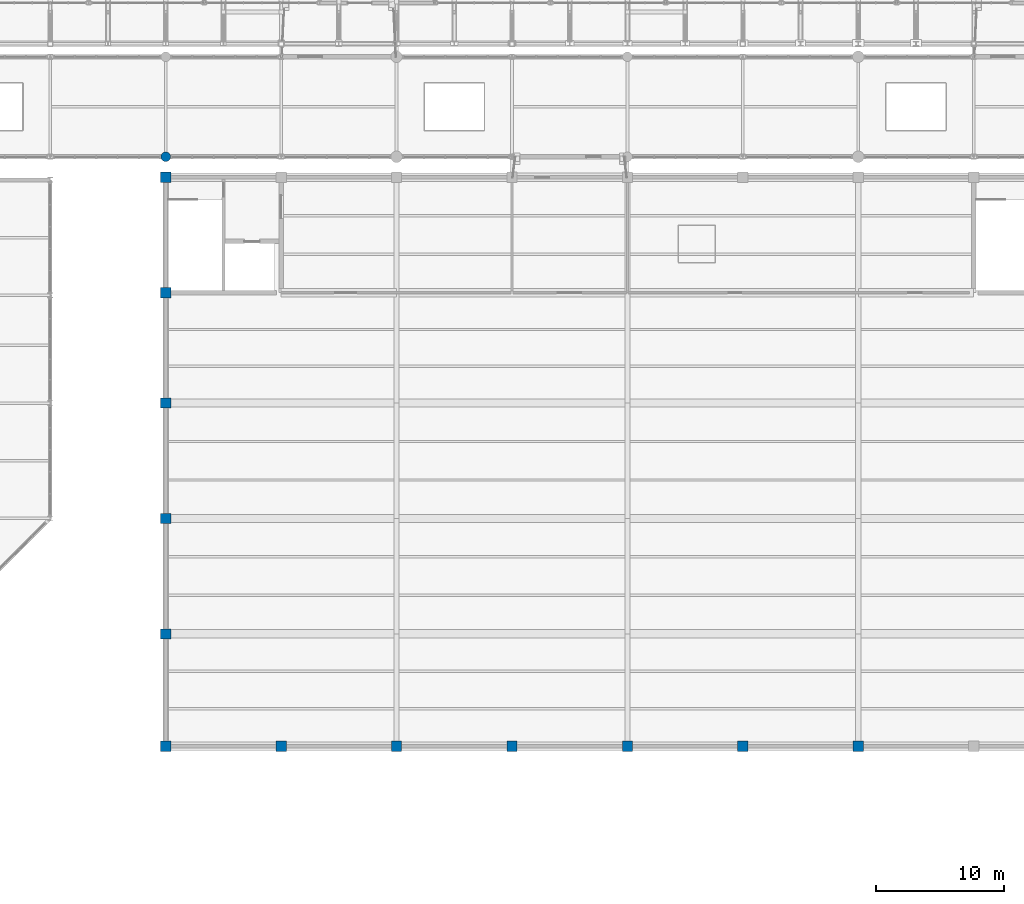
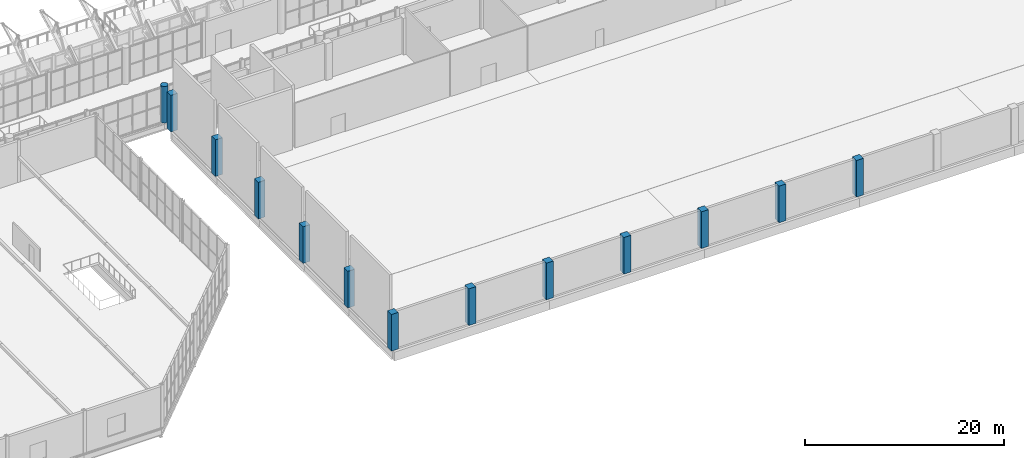
# One storey, part 5 of 134: 13 columns.
"""IFC4 building model written with IfcOpenShell, lengths in metres."""

from ifc_helpers import new_model, si_unit, direction, frame, origin, origin_2d, place, context, subcontext, project, spatial, rectangle, circle, extrude, material, material_profile, profile_set, type_object, element, save


model = new_model("IFC4")

# Units and contexts
model_context = context("Model", 3, precision=1e-05, world=origin(), true_north=direction((0.0, 1.0)))
body_context = subcontext(model_context, "Body", "Model", "MODEL_VIEW")
ifc_project = project(units=[si_unit("LENGTHUNIT", "METRE"), si_unit("AREAUNIT", "SQUARE_METRE"), si_unit("VOLUMEUNIT", "CUBIC_METRE"), si_unit("PLANEANGLEUNIT", "RADIAN"), si_unit("MASSUNIT", "GRAM", prefix="KILO")], contexts=[model_context])

# Site, building, storey
site_placement = place(None, origin())
site = spatial("IfcSite", under=ifc_project, at=site_placement, CompositionType="ELEMENT")
building_placement = place(site_placement, origin())
building = spatial("IfcBuilding", under=site, at=building_placement, Name="Cazmaro Siding Exhibition Halls", CompositionType="ELEMENT")
storey_placement = place(building_placement, frame((0.0, 0.0, 12.0)))
storey = spatial("IfcBuildingStorey", under=building, at=storey_placement, Name="L02", CompositionType="ELEMENT", Elevation=12.0)

# Columns
ifc_material_1 = material(Name="Concrete f'c 45 MPa", Category="concrete")
ifc_material_profile_1 = material_profile(ifc_material_1, rectangle(XDim=0.800048828125, YDim=0.800048828125, at=origin_2d()), Name="RC800X800")
ifc_profile_set_1 = profile_set([ifc_material_profile_1], Name="Concrete f'c 45 MPa")
column_type_1 = type_object("IfcColumnType", Name="C-08", PredefinedType="COLUMN", material=ifc_profile_set_1)
for number, where, z_axis, x_axis, name in (
    (1, (72.0, 9.25, 0.0), (0.0, 0.0, 1.0), (1.0, 0.0, 0.0), "Column C-08 COL-0565"),
    (2, (72.0, 53.60009765625, 0.0), (0.0, 0.0, 1.0), (1.0, 0.0, 0.0), "Column C-08 COL-0567"),
    (3, (81.0, 9.25, 0.0), (0.0, 0.0, 1.0), (1.0, 0.0, 0.0), "Column C-08 COL-0571"),
    (4, (90.0, 9.25, 0.0), (0.0, 0.0, 1.0), (1.0, 0.0, 0.0), "Column C-08 COL-0577"),
    (5, (99.0, 9.25, 0.0), (0.0, 0.0, 1.0), (1.0, 0.0, 0.0), "Column C-08 COL-0583"),
    (6, (108.0, 9.25, 0.0), (0.0, 0.0, 1.0), (1.0, 0.0, 0.0), "Column C-08 COL-0589"),
    (7, (117.0, 9.25, 0.0), (0.0, 0.0, 1.0), (1.0, 0.0, 0.0), "Column C-08 COL-0595"),
    (8, (126.0, 9.25, 0.0), (0.0, 0.0, 1.0), (1.0, 0.0, 0.0), "Column C-08 COL-0601"),
    (9, (72.0, 18.0, 0.0), (0.0, 0.0, 1.0), (1.0, 0.0, 0.0), "Column C-08 COL-0661"),
    (10, (72.0, 27.0, 0.0), (0.0, 0.0, 1.0), (1.0, 0.0, 0.0), "Column C-08 COL-0663"),
    (11, (72.0, 36.0, 0.0), (0.0, 0.0, 1.0), (1.0, 0.0, 0.0), "Column C-08 COL-0665"),
    (12, (72.0, 44.60009765625, 0.0), (0.0, 0.0, 1.0), (1.0, 0.0, 0.0), "Column C-08 COL-0667"),
):
    element("IfcColumn", number, at=place(storey_placement, frame(where, z_axis=z_axis, x_axis=x_axis)), inside=storey, type_object=column_type_1, Name=name, PredefinedType="COLUMN", context=body_context, shape_type="SweptSolid", body=[
        extrude(rectangle(XDim=0.800048828125, YDim=0.800048828125, at=origin_2d()), origin(), (0.0, 0.0, 1.0), 4.5),
    ])
ifc_material_2 = material(Name="Concrete f'c 45 MPa", Category="concrete")
ifc_material_profile_2 = material_profile(ifc_material_2, circle(Radius=0.375, at=origin_2d()), Name="RC750DIA")
ifc_profile_set_2 = profile_set([ifc_material_profile_2], Name="Concrete f'c 45 MPa")
column_type_2 = type_object("IfcColumnType", Name="PL-03", PredefinedType="PILASTER", material=ifc_profile_set_2)
column_placement = place(storey_placement, frame((72.0, 55.199951171875, 0.0), z_axis=(0.0, 0.0, 1.0), x_axis=(1.0, 0.0, 0.0)))
element("IfcColumn", 13, at=column_placement, inside=storey, type_object=column_type_2, Name="Column PL-03 COL-0731", PredefinedType="PILASTER", context=body_context, shape_type="SweptSolid", body=[
    extrude(circle(Radius=0.375, at=origin_2d()), origin(), (0.0, 0.0, 1.0), 4.5),
])

save(model, "model.ifc")
